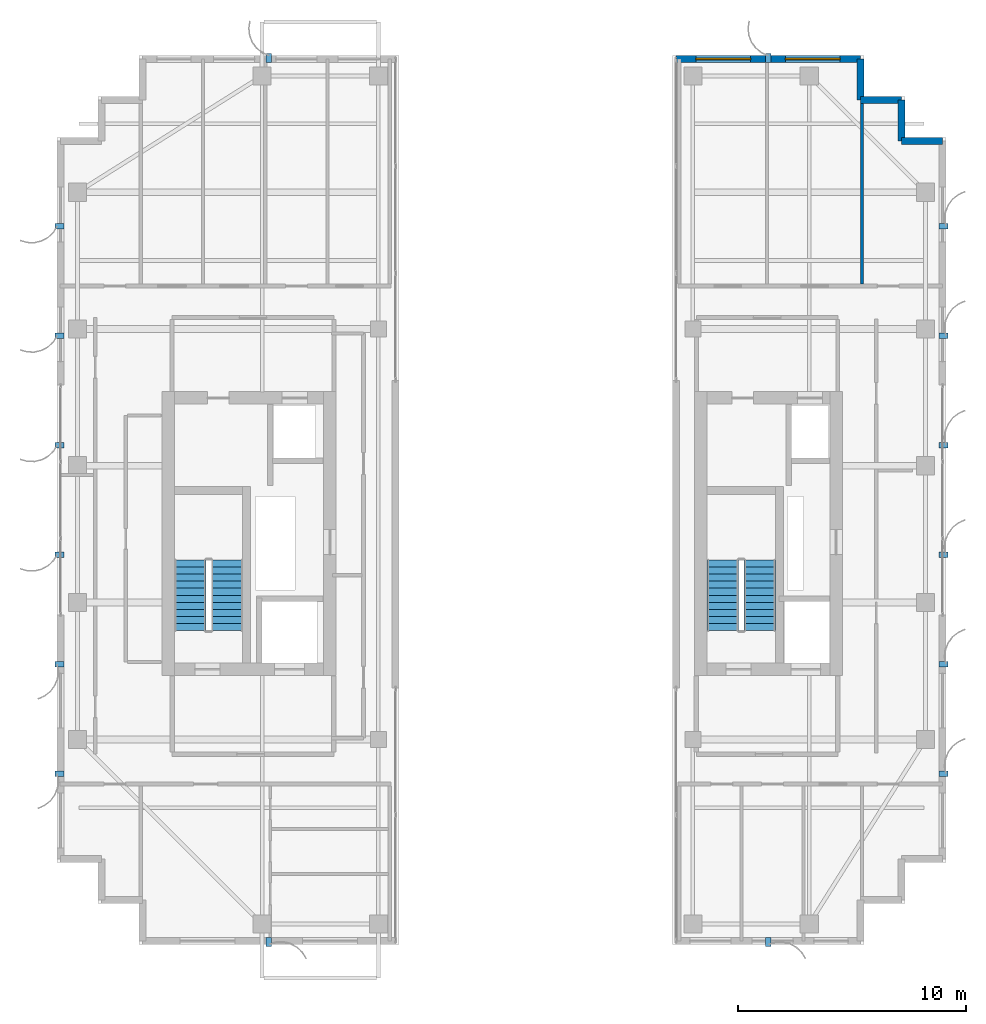
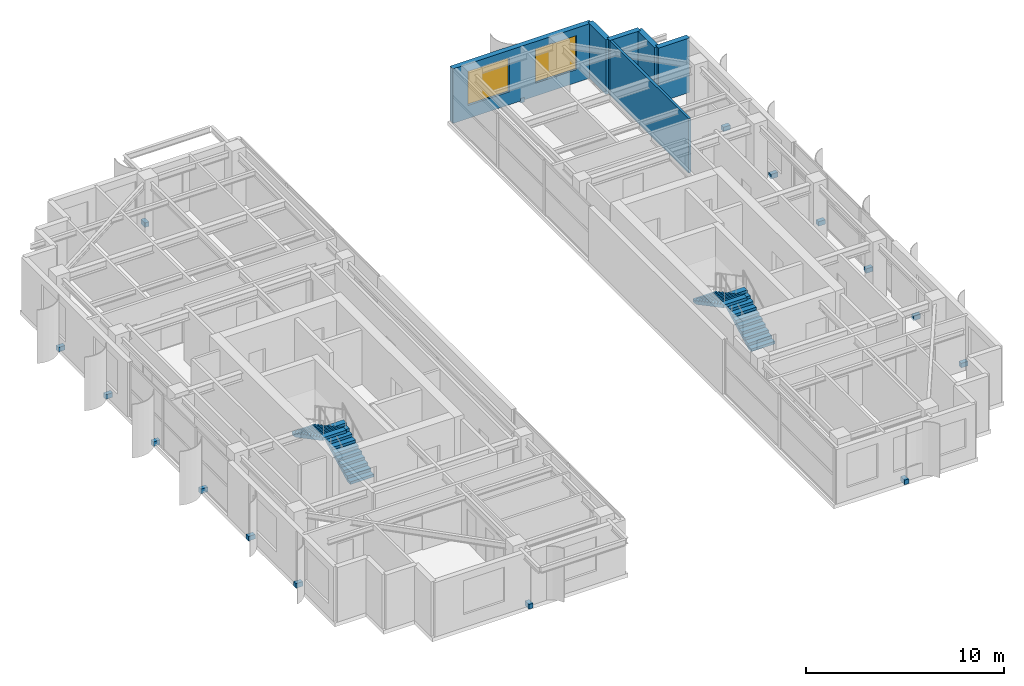
# One storey, part 20 of 22: 16 discrete accessories, 6 walls, 4 stair flights, 2 windows, 2 openings, 2 elements without a shape of their own.
"""IFC4 building model written with IfcOpenShell, lengths in metres."""

from ifc_helpers import new_model, si_unit, direction, frame, frame_2d, origin, origin_2d, place, context, subcontext, project, spatial, polyline, rectangle, outline, extrude, source, transform, mapped, material, layer, layer_set, type_object, element, fill, aggregate, save


model = new_model("IFC4")

# Units and contexts
model_context = context("Model", 3, precision=1e-05, world=origin(), true_north=direction((0.0, 1.0)))
body_context = subcontext(model_context, "Body", "Model", "MODEL_VIEW")
ifc_project = project(units=[si_unit("LENGTHUNIT", "METRE"), si_unit("AREAUNIT", "SQUARE_METRE"), si_unit("VOLUMEUNIT", "CUBIC_METRE"), si_unit("PLANEANGLEUNIT", "RADIAN"), si_unit("MASSUNIT", "GRAM", prefix="KILO")], contexts=[model_context])

# Site, building, storey
site_placement = place(None, origin())
site = spatial("IfcSite", under=ifc_project, at=site_placement, CompositionType="ELEMENT")
building_placement = place(site_placement, origin())
building = spatial("IfcBuilding", under=site, at=building_placement, Name="Khoralis Quay Care Tower", CompositionType="ELEMENT")
storey_placement = place(building_placement, frame((0.0, 0.0, 242.10009765625)))
storey = spatial("IfcBuildingStorey", under=building, at=storey_placement, Name="L63", CompositionType="ELEMENT", Elevation=242.10009765625)

# Walls
ifc_material_1 = material(Name="Precast concrete C45/55", Category="concrete")
ifc_layer_1 = layer(ifc_material_1, 0.300048828125)
ifc_layer_set_1 = layer_set([ifc_layer_1], Name="Precast concrete C45/55")
wall_type_1 = type_object("IfcWallType", Name="WL-EXT-REF-300", PredefinedType="SOLIDWALL", material=ifc_layer_set_1)
for number, where, z_axis, x_axis, name in (
    (1, (41.85009765625, 38.25, 0.0), (0.0, 0.0, 1.0), (-1.0, 0.0, 0.0), "L63 External Facade Wall WL-EXT-L63-P2-C6"),
    (2, (40.050048828125, 38.25, 0.0), (0.0, 0.0, 1.0), (0.0, 1.0, 0.0), "L63 External Facade Wall WL-EXT-L63-P2-C7"),
    (3, (40.050048828125, 40.050048828125, 0.0), (0.0, 0.0, 1.0), (-1.0, 0.0, 0.0), "L63 External Facade Wall WL-EXT-L63-P2-C8"),
    (4, (38.25, 40.050048828125, 0.0), (0.0, 0.0, 1.0), (0.0, 1.0, 0.0), "L63 External Facade Wall WL-EXT-L63-P2-C9"),
):
    element("IfcWall", number, at=place(storey_placement, frame(where, z_axis=z_axis, x_axis=x_axis)), inside=storey, type_object=wall_type_1, Name=name, PredefinedType="SOLIDWALL", context=body_context, shape_type="SweptSolid", body=[
        extrude(rectangle(XDim=1.800048828125, YDim=0.300048828125, at=frame_2d((0.89990234375, 0.0))), origin(), (0.0, 0.0, 1.0), 3.35986328125),
    ])

# Wall, openings, windows
wall_1_placement = place(storey_placement, frame((38.25, 41.85009765625, 0.0), z_axis=(0.0, 0.0, 1.0), x_axis=(-1.0, 0.0, 0.0)))
wall_1 = element("IfcWall", 5, at=wall_1_placement, inside=storey, type_object=wall_type_1, Name="L63 External Facade Wall WL-EXT-L63-P2-E10", PredefinedType="SOLIDWALL", context=body_context, shape_type="SweptSolid", body=[
    extrude(rectangle(XDim=8.10009765625, YDim=0.300048828125, at=frame_2d((4.050048828125, 0.0))), origin(), (0.0, 0.0, 1.0), 3.35986328125),
])
opening_1_placement = place(wall_1_placement, frame((0.89990234375, 0.0, 0.800048828125)))
opening_1 = element("IfcOpeningElement", 6, at=opening_1_placement, cuts=wall_1, Name="Opening W1", PredefinedType="OPENING", context=body_context, shape_type="SweptSolid", body=[
    extrude(rectangle(XDim=2.39990234375, YDim=2.10009765625, at=frame_2d((1.199951171875, 1.050048828125))), frame((0.0, 0.16015625, 0.0), z_axis=(0.0, -1.0, 0.0), x_axis=(1.0, 0.0, 0.0)), (0.0, 0.0, 1.0), 0.320068359375),
])
opening_2_placement = place(wall_1_placement, frame((4.824951171875, 0.0, 0.800048828125)))
opening_2 = element("IfcOpeningElement", 7, at=opening_2_placement, cuts=wall_1, Name="Opening W1", PredefinedType="OPENING", context=body_context, shape_type="SweptSolid", body=[
    extrude(rectangle(XDim=2.39990234375, YDim=2.10009765625, at=frame_2d((1.199951171875, 1.050048828125))), frame((0.0, 0.16015625, 0.0), z_axis=(0.0, -1.0, 0.0), x_axis=(1.0, 0.0, 0.0)), (0.0, 0.0, 1.0), 0.320068359375),
])
ifc_material_2 = material(Name="Low-E solar-control double glazing", Category="glass")
window_type = type_object("IfcWindowType", Name="WN-POD-2400X2100", PartitioningType="SINGLE_PANEL", PredefinedType="WINDOW", material=ifc_material_2)
shared_shape_1 = source(origin(), body_context, "Body", "SweptSolid", [
    extrude(rectangle(XDim=2.39990234375, YDim=2.10009765625, at=frame_2d((1.199951171875, 1.050048828125))), frame((0.0, 0.030029296875, 0.0), z_axis=(0.0, -1.0, 0.0), x_axis=(1.0, 0.0, 0.0)), (0.0, 0.0, 1.0), 0.06005859375),
])
window_1_placement = place(opening_1_placement, origin())
window_1 = element("IfcWindow", 8, at=window_1_placement, inside=storey, type_object=window_type, Name="WN-L63-P2-E10 Facade Window 01", OverallHeight=2.10009765625, OverallWidth=2.39990234375, PartitioningType="SINGLE_PANEL", PredefinedType="WINDOW", context=body_context, shape_type="MappedRepresentation", body=[
    mapped(shared_shape_1, transform((0.0, 0.0, 0.0), scale=1.0)),
])
fill(opening_1, window_1)
window_2_placement = place(opening_2_placement, origin())
window_2 = element("IfcWindow", 9, at=window_2_placement, inside=storey, type_object=window_type, Name="WN-L63-P2-E10 Facade Window 02", OverallHeight=2.10009765625, OverallWidth=2.39990234375, PartitioningType="SINGLE_PANEL", PredefinedType="WINDOW", context=body_context, shape_type="MappedRepresentation", body=[
    mapped(shared_shape_1, transform((0.0, 0.0, 0.0), scale=1.0)),
])
fill(opening_2, window_2)

# Wall
ifc_material_3 = material(Name="Gypsum plasterboard on acoustic metal stud")
ifc_layer_2 = layer(ifc_material_3, 0.139892578125)
ifc_layer_set_2 = layer_set([ifc_layer_2], Name="Gypsum plasterboard on acoustic metal stud")
wall_type_2 = type_object("IfcWallType", Name="WL-UNIT-140", PredefinedType="PARTITIONING", material=ifc_layer_set_2)
wall_2_placement = place(storey_placement, frame((38.320068359375, 31.967529296875, 0.0), z_axis=(0.0, 0.0, 1.0), x_axis=(0.0, 1.0, 0.0)))
element("IfcWall", 10, at=wall_2_placement, inside=storey, type_object=wall_type_2, Name="L63 EN Demising Wall 2", PredefinedType="PARTITIONING", context=body_context, shape_type="SweptSolid", body=[
    extrude(rectangle(XDim=8.08740234375, YDim=0.139892578125, at=frame_2d((4.043701171875, 0.0))), origin(), (0.0, 0.0, 1.0), 3.35986328125),
])

# Stair, stair flights
stair_type = type_object("IfcStairType", Name="ST-TWR-DOGLEG-1400", PredefinedType="HALF_TURN_STAIR", material=ifc_material_1)
stair_1_placement = place(storey_placement, origin())
stair_1 = element("IfcStair", 11, at=stair_1_placement, inside=storey, type_object=stair_type, Name="L63 West Core Exit Stair ST-T1", PredefinedType="HALF_TURN_STAIR")
stair_flight_type = type_object("IfcStairFlightType", Name="SF-TWR-1400", PredefinedType="STRAIGHT", material=ifc_material_1)
shared_shape_2 = source(origin(), body_context, "Body", "SweptSolid", [
    extrude(outline(polyline([(0.0, 0.0), (0.0, 0.16357421875), (0.31005859375, 0.16357421875), (0.31005859375, 0.327392578125), (0.6201171875, 0.327392578125), (0.6201171875, 0.490966796875), (0.929931640625, 0.490966796875), (0.929931640625, 0.654541015625), (1.239990234375, 0.654541015625), (1.239990234375, 0.818115234375), (1.550048828125, 0.818115234375), (1.550048828125, 0.98193359375), (1.860107421875, 0.98193359375), (1.860107421875, 1.1455078125), (2.169921875, 1.1455078125), (2.169921875, 1.30908203125), (2.47998046875, 1.30908203125), (2.47998046875, 1.47265625), (2.7900390625, 1.47265625), (2.7900390625, 1.636474609375), (3.10009765625, 1.636474609375), (3.10009765625, 1.800048828125), (3.10009765625, 1.466796875), (0.321044921875, 0.0), (0.0, 0.0)])), frame((0.0, 0.68994140625, 0.0), z_axis=(0.0, -1.0, 0.0), x_axis=(1.0, 0.0, 0.0)), (0.0, 0.0, 1.0), 1.3798828125),
])
stair_flight_1_placement = place(storey_placement, frame((10.4599609375, 16.77001953125, 0.0), z_axis=(0.0, 0.0, 1.0), x_axis=(0.0, 1.0, 0.0)))
stair_flight_1 = element("IfcStairFlight", 12, at=stair_flight_1_placement, type_object=stair_flight_type, Name="ST-T1 flight 1", NumberOfRisers=11, NumberOfTreads=10, PredefinedType="STRAIGHT", RiserHeight=0.163636364, TreadLength=0.31, context=body_context, shape_type="MappedRepresentation", body=[
    mapped(shared_shape_2, transform((0.0, 0.0, 0.0), scale=1.0)),
])
stair_flight_2_placement = place(storey_placement, frame((8.840087890625, 19.8701171875, 1.7998046875), z_axis=(0.0, 0.0, 1.0), x_axis=(0.0, -1.0, 0.0)))
stair_flight_2 = element("IfcStairFlight", 13, at=stair_flight_2_placement, type_object=stair_flight_type, Name="ST-T1 flight 2", NumberOfRisers=11, NumberOfTreads=10, PredefinedType="STRAIGHT", RiserHeight=0.163636364, TreadLength=0.31, context=body_context, shape_type="MappedRepresentation", body=[
    mapped(shared_shape_2, transform((0.0, 0.0, 0.0), scale=1.0)),
])
aggregate(stair_1, [stair_flight_1, stair_flight_2])

stair_2_placement = place(storey_placement, origin())
stair_2 = element("IfcStair", 14, at=stair_2_placement, inside=storey, type_object=stair_type, Name="L63 East Core Exit Stair ST-T2", PredefinedType="HALF_TURN_STAIR")
stair_flight_3_placement = place(storey_placement, frame((33.830078125, 16.77001953125, 0.0), z_axis=(0.0, 0.0, 1.0), x_axis=(0.0, 1.0, 0.0)))
stair_flight_3 = element("IfcStairFlight", 15, at=stair_flight_3_placement, type_object=stair_flight_type, Name="ST-T2 flight 1", NumberOfRisers=11, NumberOfTreads=10, PredefinedType="STRAIGHT", RiserHeight=0.163636364, TreadLength=0.31, context=body_context, shape_type="MappedRepresentation", body=[
    mapped(shared_shape_2, transform((0.0, 0.0, 0.0), scale=1.0)),
])
stair_flight_4_placement = place(storey_placement, frame((32.2099609375, 19.8701171875, 1.7998046875), z_axis=(0.0, 0.0, 1.0), x_axis=(0.0, -1.0, 0.0)))
stair_flight_4 = element("IfcStairFlight", 16, at=stair_flight_4_placement, type_object=stair_flight_type, Name="ST-T2 flight 2", NumberOfRisers=11, NumberOfTreads=10, PredefinedType="STRAIGHT", RiserHeight=0.163636364, TreadLength=0.31, context=body_context, shape_type="MappedRepresentation", body=[
    mapped(shared_shape_2, transform((0.0, 0.0, 0.0), scale=1.0)),
])
aggregate(stair_2, [stair_flight_3, stair_flight_4])

# Discrete accessories
ifc_material_4 = material(Name="Brushed stainless steel", Category="steel")
discrete_accessory_type = type_object("IfcDiscreteAccessoryType", Name="ACC-FIN-BRACKET", PredefinedType="BRACKET", material=ifc_material_4)
shared_shape_3 = source(origin(), body_context, "Body", "SweptSolid", [
    extrude(rectangle(XDim=0.39990234375, YDim=0.239990234375, at=origin_2d()), origin(), (0.0, 0.0, 1.0), 0.280029296875),
])
for number, where, z_axis, x_axis, name in (
    (17, (12.300048828125, 3.110107421875, -0.1201171875), (0.0, 0.0, 1.0), (0.0, -1.0, 0.0), "L63 Solar Fin Bracket P1E0-01"),
    (18, (12.300048828125, 41.889892578125, -0.1201171875), (0.0, 0.0, 1.0), (0.0, 1.0, 0.0), "L63 Solar Fin Bracket P1E2-01"),
    (19, (3.110107421875, 34.5, -0.1201171875), (0.0, 0.0, 1.0), (-1.0, 0.0, 0.0), "L63 Solar Fin Bracket P1E7-01"),
    (20, (3.110107421875, 29.699951171875, -0.1201171875), (0.0, 0.0, 1.0), (-1.0, 0.0, 0.0), "L63 Solar Fin Bracket P1E7-02"),
    (21, (3.110107421875, 24.89990234375, -0.1201171875), (0.0, 0.0, 1.0), (-1.0, 0.0, 0.0), "L63 Solar Fin Bracket P1E7-03"),
    (22, (3.110107421875, 20.10009765625, -0.1201171875), (0.0, 0.0, 1.0), (-1.0, 0.0, 0.0), "L63 Solar Fin Bracket P1E7-04"),
    (23, (3.110107421875, 15.300048828125, -0.1201171875), (0.0, 0.0, 1.0), (-1.0, 0.0, 0.0), "L63 Solar Fin Bracket P1E7-05"),
    (24, (3.110107421875, 10.5, -0.1201171875), (0.0, 0.0, 1.0), (-1.0, 0.0, 0.0), "L63 Solar Fin Bracket P1E7-06"),
    (25, (34.199951171875, 3.110107421875, -0.1201171875), (0.0, 0.0, 1.0), (0.0, -1.0, 0.0), "L63 Solar Fin Bracket P2E0-01"),
    (26, (41.889892578125, 10.5, -0.1201171875), (0.0, 0.0, 1.0), (1.0, 0.0, 0.0), "L63 Solar Fin Bracket P2E5-01"),
    (27, (41.889892578125, 15.300048828125, -0.1201171875), (0.0, 0.0, 1.0), (1.0, 0.0, 0.0), "L63 Solar Fin Bracket P2E5-02"),
    (28, (41.889892578125, 20.10009765625, -0.1201171875), (0.0, 0.0, 1.0), (1.0, 0.0, 0.0), "L63 Solar Fin Bracket P2E5-03"),
    (29, (41.889892578125, 24.89990234375, -0.1201171875), (0.0, 0.0, 1.0), (1.0, 0.0, 0.0), "L63 Solar Fin Bracket P2E5-04"),
    (30, (41.889892578125, 29.699951171875, -0.1201171875), (0.0, 0.0, 1.0), (1.0, 0.0, 0.0), "L63 Solar Fin Bracket P2E5-05"),
    (31, (41.889892578125, 34.5, -0.1201171875), (0.0, 0.0, 1.0), (1.0, 0.0, 0.0), "L63 Solar Fin Bracket P2E5-06"),
    (32, (34.199951171875, 41.889892578125, -0.1201171875), (0.0, 0.0, 1.0), (0.0, 1.0, 0.0), "L63 Solar Fin Bracket P2E10-01"),
):
    element("IfcDiscreteAccessory", number, at=place(storey_placement, frame(where, z_axis=z_axis, x_axis=x_axis)), inside=storey, type_object=discrete_accessory_type, Name=name, PredefinedType="BRACKET", context=body_context, shape_type="MappedRepresentation", body=[
        mapped(shared_shape_3, transform((0.0, 0.0, 0.0), scale=1.0)),
    ])

save(model, "model.ifc")
